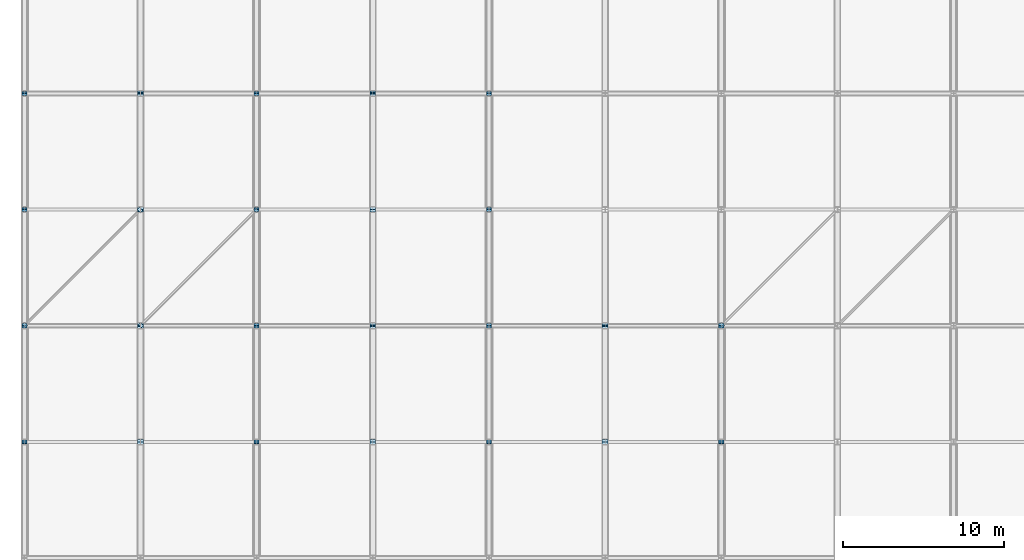
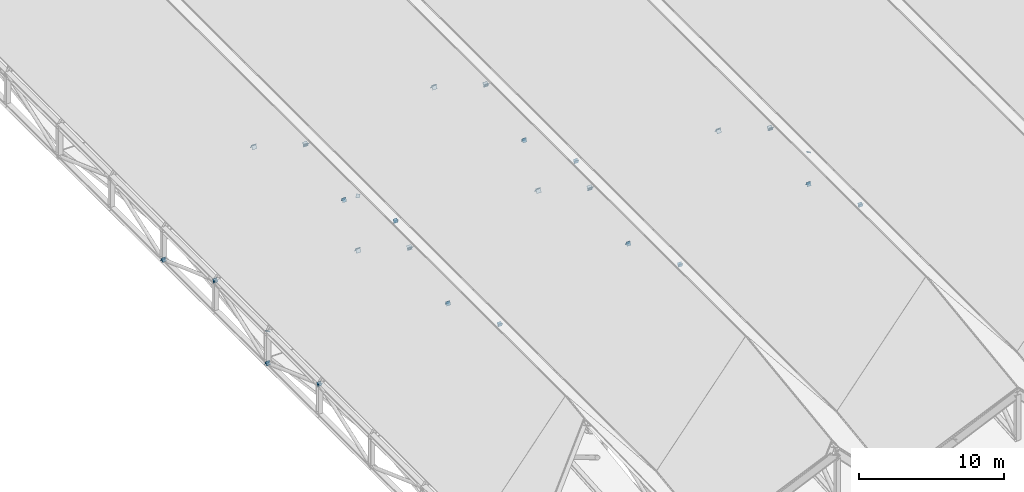
# One storey, part 46 of 60: 53 plates.
"""IFC4 building model written with IfcOpenShell, lengths in metres."""

from ifc_helpers import new_model, si_unit, direction, frame, origin, origin_2d, place, context, subcontext, project, spatial, rectangle, extrude, material, layer, layer_set, type_object, element, save


model = new_model("IFC4")

# Units and contexts
model_context = context("Model", 3, precision=1e-05, world=origin(), true_north=direction((0.0, 1.0)))
body_context = subcontext(model_context, "Body", "Model", "MODEL_VIEW")
ifc_project = project(units=[si_unit("LENGTHUNIT", "METRE"), si_unit("AREAUNIT", "SQUARE_METRE"), si_unit("VOLUMEUNIT", "CUBIC_METRE"), si_unit("PLANEANGLEUNIT", "RADIAN"), si_unit("MASSUNIT", "GRAM", prefix="KILO")], contexts=[model_context])

# Site, building, storey
site_placement = place(None, origin())
site = spatial("IfcSite", under=ifc_project, at=site_placement, CompositionType="ELEMENT")
building_placement = place(site_placement, origin())
building = spatial("IfcBuilding", under=site, at=building_placement, Name="Vesperath Aquatics Centre", CompositionType="ELEMENT")
storey_placement = place(building_placement, frame((0.0, 0.0, 27.60009765625)))
storey = spatial("IfcBuildingStorey", under=building, at=storey_placement, Name="RF", CompositionType="ELEMENT", Elevation=27.60009765625)

# Plates
ifc_material = material(Name="Steel Q355D", Category="steel")
ifc_layer_1 = layer(ifc_material, 0.02001953125)
ifc_layer_set_1 = layer_set([ifc_layer_1], Name="Steel Q355D")
plate_type_1 = type_object("IfcPlateType", Name="PT-TN01", PredefinedType="SHEET", material=ifc_layer_set_1)
for number, where, z_axis, x_axis, name in (
    (1, (7.199951171875, 35.932373046875, -0.84326171875), (0.0, 0.842696259913, 0.538389276944), (-1.0, 0.0, 0.0), "Truss Node Cap Plate TN01"),
    (2, (7.199951171875, 36.050537109375, -0.83251953125), (0.0, 0.842696259913, -0.538389276944), (-1.0, 0.0, 0.0), "Truss Node Cap Plate TN01"),
    (3, (7.199951171875, 43.132568359375, -5.35693359375), (0.0, 0.842696259913, -0.538389276944), (-1.0, 0.0, 0.0), "Truss Node Cap Plate TN01"),
    (4, (7.199951171875, 43.25048828125, -5.36767578125), (0.0, 0.842696259913, 0.538389276944), (-1.0, 0.0, 0.0), "Truss Node Cap Plate TN01"),
    (5, (7.199951171875, 50.33251953125, -0.84326171875), (0.0, 0.842696259913, 0.538389276944), (-1.0, 0.0, 0.0), "Truss Node Cap Plate TN01"),
    (6, (7.199951171875, 50.450439453125, -0.83251953125), (0.0, 0.842696259913, -0.538389276944), (-1.0, 0.0, 0.0), "Truss Node Cap Plate TN01"),
    (7, (7.199951171875, 57.532470703125, -5.35693359375), (0.0, 0.842696259913, -0.538389276944), (-1.0, 0.0, 0.0), "Truss Node Cap Plate TN01"),
    (8, (7.199951171875, 57.650390625, -5.36767578125), (0.0, 0.842696259913, 0.538389276944), (-1.0, 0.0, 0.0), "Truss Node Cap Plate TN01"),
    (9, (21.60009765625, 35.932373046875, -0.84326171875), (0.0, 0.842696259913, 0.538389276944), (-1.0, 0.0, 0.0), "Truss Node Cap Plate TN01"),
    (10, (21.60009765625, 36.050537109375, -0.83251953125), (0.0, 0.842696259913, -0.538389276944), (-1.0, 0.0, 0.0), "Truss Node Cap Plate TN01"),
    (11, (21.60009765625, 43.132568359375, -5.35693359375), (0.0, 0.842696259913, -0.538389276944), (-1.0, 0.0, 0.0), "Truss Node Cap Plate TN01"),
    (12, (21.60009765625, 43.25048828125, -5.36767578125), (0.0, 0.842696259913, 0.538389276944), (-1.0, 0.0, 0.0), "Truss Node Cap Plate TN01"),
    (13, (21.60009765625, 50.33251953125, -0.84326171875), (0.0, 0.842696259913, 0.538389276944), (-1.0, 0.0, 0.0), "Truss Node Cap Plate TN01"),
    (14, (21.60009765625, 50.450439453125, -0.83251953125), (0.0, 0.842696259913, -0.538389276944), (-1.0, 0.0, 0.0), "Truss Node Cap Plate TN01"),
    (15, (21.60009765625, 57.532470703125, -5.35693359375), (0.0, 0.842696259913, -0.538389276944), (-1.0, 0.0, 0.0), "Truss Node Cap Plate TN01"),
    (16, (21.60009765625, 57.650390625, -5.36767578125), (0.0, 0.842696259913, 0.538389276944), (-1.0, 0.0, 0.0), "Truss Node Cap Plate TN01"),
    (17, (36.0, 35.932373046875, -0.84326171875), (0.0, 0.842696259913, 0.538389276944), (-1.0, 0.0, 0.0), "Truss Node Cap Plate TN01"),
    (18, (36.0, 36.050537109375, -0.83251953125), (0.0, 0.842696259913, -0.538389276944), (-1.0, 0.0, 0.0), "Truss Node Cap Plate TN01"),
    (19, (36.0, 43.132568359375, -5.35693359375), (0.0, 0.842696259913, -0.538389276944), (-1.0, 0.0, 0.0), "Truss Node Cap Plate TN01"),
    (20, (36.0, 43.25048828125, -5.36767578125), (0.0, 0.842696259913, 0.538389276944), (-1.0, 0.0, 0.0), "Truss Node Cap Plate TN01"),
):
    element("IfcPlate", number, at=place(storey_placement, frame(where, z_axis=z_axis, x_axis=x_axis)), inside=storey, type_object=plate_type_1, Name=name, PredefinedType="SHEET", context=body_context, shape_type="SweptSolid", body=[
        extrude(rectangle(XDim=0.360107421875, YDim=0.360107421875, at=origin_2d()), origin(), (0.0, 0.0, 1.0), 0.02001953125),
    ])
ifc_layer_2 = layer(ifc_material, 0.02001953125)
ifc_layer_set_2 = layer_set([ifc_layer_2], Name="Steel Q355D")
plate_type_2 = type_object("IfcPlateType", Name="PT-TN02", PredefinedType="SHEET", material=ifc_layer_set_2)
for number, where, z_axis, x_axis, name in (
    (21, (0.0, 35.924560546875, -9.827392578125), (0.0, 0.940553899656, 0.339644463876), (-1.0, 0.0, 0.0), "Truss Node Cap Plate TN02"),
    (22, (0.0, 36.056396484375, -9.820556640625), (0.0, 0.940553899656, -0.339644463876), (-1.0, 0.0, 0.0), "Truss Node Cap Plate TN02"),
    (23, (0.0, 43.124755859375, -12.372802734375), (0.0, 0.940553899656, -0.339644463876), (-1.0, 0.0, 0.0), "Truss Node Cap Plate TN02"),
    (24, (0.0, 43.25634765625, -12.379638671875), (0.0, 0.940553899656, 0.339644463876), (-1.0, 0.0, 0.0), "Truss Node Cap Plate TN02"),
    (25, (0.0, 50.32470703125, -9.827392578125), (0.0, 0.940553899656, 0.339644463876), (-1.0, 0.0, 0.0), "Truss Node Cap Plate TN02"),
    (26, (0.0, 50.456298828125, -9.820556640625), (0.0, 0.940553899656, -0.339644463876), (-1.0, 0.0, 0.0), "Truss Node Cap Plate TN02"),
    (27, (0.0, 57.524658203125, -12.372802734375), (0.0, 0.940553899656, -0.339644463876), (-1.0, 0.0, 0.0), "Truss Node Cap Plate TN02"),
    (28, (0.0, 57.65625, -12.379638671875), (0.0, 0.940553899656, 0.339644463876), (-1.0, 0.0, 0.0), "Truss Node Cap Plate TN02"),
    (29, (14.39990234375, 35.924560546875, -9.827392578125), (0.0, 0.940553899656, 0.339644463876), (-1.0, 0.0, 0.0), "Truss Node Cap Plate TN02"),
    (30, (14.39990234375, 36.056396484375, -9.820556640625), (0.0, 0.940553899656, -0.339644463876), (-1.0, 0.0, 0.0), "Truss Node Cap Plate TN02"),
    (31, (14.39990234375, 43.124755859375, -12.372802734375), (0.0, 0.940553899656, -0.339644463876), (-1.0, 0.0, 0.0), "Truss Node Cap Plate TN02"),
    (32, (14.39990234375, 43.25634765625, -12.379638671875), (0.0, 0.940553899656, 0.339644463876), (-1.0, 0.0, 0.0), "Truss Node Cap Plate TN02"),
    (33, (14.39990234375, 50.32470703125, -9.827392578125), (0.0, 0.940553899656, 0.339644463876), (-1.0, 0.0, 0.0), "Truss Node Cap Plate TN02"),
    (34, (14.39990234375, 50.456298828125, -9.820556640625), (0.0, 0.940553899656, -0.339644463876), (-1.0, 0.0, 0.0), "Truss Node Cap Plate TN02"),
    (35, (14.39990234375, 57.524658203125, -12.372802734375), (0.0, 0.940553899656, -0.339644463876), (-1.0, 0.0, 0.0), "Truss Node Cap Plate TN02"),
    (36, (14.39990234375, 57.65625, -12.379638671875), (0.0, 0.940553899656, 0.339644463876), (-1.0, 0.0, 0.0), "Truss Node Cap Plate TN02"),
    (37, (28.800048828125, 35.924560546875, -9.827392578125), (0.0, 0.940553899656, 0.339644463876), (-1.0, 0.0, 0.0), "Truss Node Cap Plate TN02"),
    (38, (28.800048828125, 36.056396484375, -9.820556640625), (0.0, 0.940553899656, -0.339644463876), (-1.0, 0.0, 0.0), "Truss Node Cap Plate TN02"),
    (39, (28.800048828125, 43.124755859375, -12.372802734375), (0.0, 0.940553899656, -0.339644463876), (-1.0, 0.0, 0.0), "Truss Node Cap Plate TN02"),
    (40, (28.800048828125, 43.25634765625, -12.379638671875), (0.0, 0.940553899656, 0.339644463876), (-1.0, 0.0, 0.0), "Truss Node Cap Plate TN02"),
    (41, (28.800048828125, 50.32470703125, -9.827392578125), (0.0, 0.940553899656, 0.339644463876), (-1.0, 0.0, 0.0), "Truss Node Cap Plate TN02"),
    (42, (28.800048828125, 50.456298828125, -9.820556640625), (0.0, 0.940553899656, -0.339644463876), (-1.0, 0.0, 0.0), "Truss Node Cap Plate TN02"),
    (43, (28.800048828125, 57.524658203125, -12.372802734375), (0.0, 0.940553899656, -0.339644463876), (-1.0, 0.0, 0.0), "Truss Node Cap Plate TN02"),
    (44, (28.800048828125, 57.65625, -12.379638671875), (0.0, 0.940553899656, 0.339644463876), (-1.0, 0.0, 0.0), "Truss Node Cap Plate TN02"),
    (45, (43.199951171875, 35.924560546875, -9.827392578125), (0.0, 0.940553899656, 0.339644463876), (-1.0, 0.0, 0.0), "Truss Node Cap Plate TN02"),
    (46, (43.199951171875, 36.056396484375, -9.820556640625), (0.0, 0.940553899656, -0.339644463876), (-1.0, 0.0, 0.0), "Truss Node Cap Plate TN02"),
    (47, (43.199951171875, 43.124755859375, -12.372802734375), (0.0, 0.940553899656, -0.339644463876), (-1.0, 0.0, 0.0), "Truss Node Cap Plate TN02"),
    (48, (43.199951171875, 43.25634765625, -12.379638671875), (0.0, 0.940553899656, 0.339644463876), (-1.0, 0.0, 0.0), "Truss Node Cap Plate TN02"),
):
    element("IfcPlate", number, at=place(storey_placement, frame(where, z_axis=z_axis, x_axis=x_axis)), inside=storey, type_object=plate_type_2, Name=name, PredefinedType="SHEET", context=body_context, shape_type="SweptSolid", body=[
        extrude(rectangle(XDim=0.320068359375, YDim=0.320068359375, at=origin_2d()), origin(), (0.0, 0.0, 1.0), 0.02001953125),
    ])
ifc_layer_3 = layer(ifc_material, 0.01806640625)
ifc_layer_set_3 = layer_set([ifc_layer_3], Name="Steel Q355D")
plate_type_3 = type_object("IfcPlateType", Name="PT-TN03", PredefinedType="SHEET", material=ifc_layer_set_3)
for number, where, z_axis, x_axis, name in (
    (49, (0.03271484375, 43.232666015625, -9.75927734375), (0.529812942738, 0.529812942738, 0.662266178673), (-0.707106781187, 0.707106781187, 0.0), "Truss Node Cap Plate TN03"),
    (50, (7.157470703125, 50.357421875, -0.853271484375), (0.529812942738, 0.529812942738, 0.662266178673), (-0.707106781187, 0.707106781187, 0.0), "Truss Node Cap Plate TN03"),
    (51, (7.232666015625, 43.232666015625, -0.841064453125), (0.529812942738, 0.529812942738, -0.662266178673), (-0.707106781187, 0.707106781187, 0.0), "Truss Node Cap Plate TN03"),
    (52, (14.357421875, 50.357421875, -9.7470703125), (0.529812942738, 0.529812942738, -0.662266178673), (-0.707106781187, 0.707106781187, 0.0), "Truss Node Cap Plate TN03"),
    (53, (43.232666015625, 43.232666015625, -9.75927734375), (0.529812942738, 0.529812942738, 0.662266178673), (-0.707106781187, 0.707106781187, 0.0), "Truss Node Cap Plate TN03"),
):
    element("IfcPlate", number, at=place(storey_placement, frame(where, z_axis=z_axis, x_axis=x_axis)), inside=storey, type_object=plate_type_3, Name=name, PredefinedType="SHEET", context=body_context, shape_type="SweptSolid", body=[
        extrude(rectangle(XDim=0.280029296875, YDim=0.280029296875, at=origin_2d()), origin(), (0.0, 0.0, 1.0), 0.01806640625),
    ])

save(model, "model.ifc")
